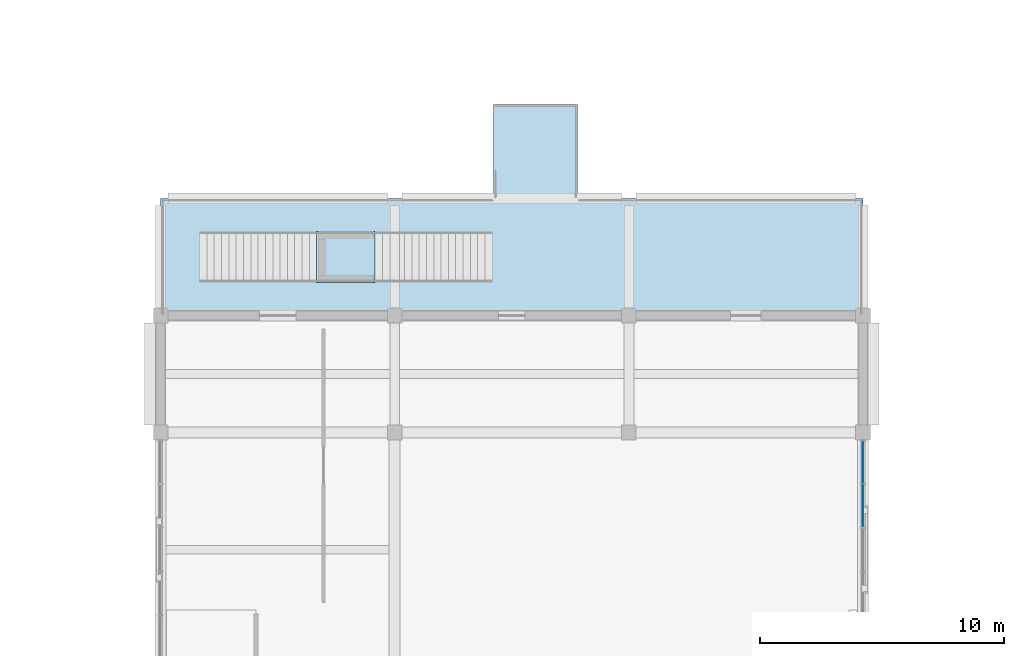
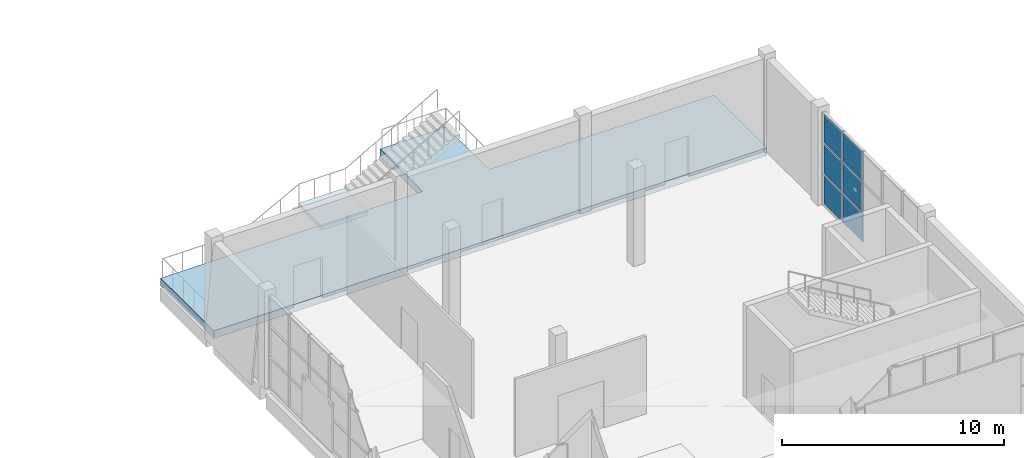
# One storey, part 30 of 57: 6 plates, 2 slabs, 2 elements without a shape of their own.
"""IFC4 building model written with IfcOpenShell, lengths in metres."""

from ifc_helpers import new_model, si_unit, direction, frame, origin, origin_2d, place, context, subcontext, project, spatial, polyline, rectangle, outline, extrude, material, layer, layer_set, type_object, element, aggregate, save


model = new_model("IFC4")

# Units and contexts
model_context = context("Model", 3, precision=1e-05, world=origin(), true_north=direction((0.0, 1.0)))
body_context = subcontext(model_context, "Body", "Model", "MODEL_VIEW")
ifc_project = project(units=[si_unit("LENGTHUNIT", "METRE"), si_unit("AREAUNIT", "SQUARE_METRE"), si_unit("VOLUMEUNIT", "CUBIC_METRE"), si_unit("PLANEANGLEUNIT", "RADIAN"), si_unit("MASSUNIT", "GRAM", prefix="KILO")], contexts=[model_context])

# Site, building, storey
site_placement = place(None, origin())
site = spatial("IfcSite", under=ifc_project, at=site_placement, CompositionType="ELEMENT")
building_placement = place(site_placement, origin())
building = spatial("IfcBuilding", under=site, at=building_placement, Name="Shalvenor Court Art Gallery", CompositionType="ELEMENT")
storey_placement = place(building_placement, frame((0.0, 0.0, 16.800048828125)))
storey = spatial("IfcBuildingStorey", under=building, at=storey_placement, Name="L03", CompositionType="ELEMENT", Elevation=16.800048828125)

# Curtain wall, plates
ifc_material_1 = material(Name="Anodised aluminium and low-iron glass curtain wall", Category="aluminium")
curtain_wall_type = type_object("IfcCurtainWallType", Name="CW-5x3-90-51-222", PredefinedType="USERDEFINED", material=ifc_material_1)
curtain_wall_placement = place(storey_placement, origin())
curtain_wall = element("IfcCurtainWall", 1, at=curtain_wall_placement, inside=storey, type_object=curtain_wall_type, Name="L03 V3 Curtain Wall CW-L03-109", ObjectType="CURTAIN WALL", PredefinedType="USERDEFINED")
ifc_material_2 = material(Name="Low-iron triple-silver solar gallery glazing IGU", Category="glass")
ifc_layer_1 = layer(ifc_material_2, 0.031982421875, Name="Low-iron triple-silver solar gallery glazing IGU")
ifc_layer_set_1 = layer_set([ifc_layer_1], Name="Low-iron triple-silver solar gallery glazing IGU")
plate_type = type_object("IfcPlateType", Name="CWP-02", PredefinedType="CURTAIN_PANEL", material=ifc_layer_set_1)
plate_1_placement = place(storey_placement, frame((124.800048828125, 17.982421875, 0.06494140625), z_axis=(0.0, 0.0, 1.0), x_axis=(0.0, -1.0, 0.0)))
plate_1 = element("IfcPlate", 2, at=plate_1_placement, type_object=plate_type, Name="CW-5x3-90-51-222 panel 1.1", PredefinedType="CURTAIN_PANEL", context=body_context, shape_type="SweptSolid", body=[
    extrude(rectangle(XDim=1.695068359375, YDim=0.031982421875, at=origin_2d()), origin(), (0.0, 0.0, 1.0), 1.6025390625),
])
plate_2_placement = place(storey_placement, frame((124.800048828125, 17.982421875, 1.732421875), z_axis=(0.0, 0.0, 1.0), x_axis=(0.0, -1.0, 0.0)))
plate_2 = element("IfcPlate", 3, at=plate_2_placement, type_object=plate_type, Name="CW-5x3-90-51-222 panel 1.2", PredefinedType="CURTAIN_PANEL", context=body_context, shape_type="SweptSolid", body=[
    extrude(rectangle(XDim=1.695068359375, YDim=0.031982421875, at=origin_2d()), origin(), (0.0, 0.0, 1.0), 1.635009765625),
])
plate_3_placement = place(storey_placement, frame((124.800048828125, 17.982421875, 3.432373046875), z_axis=(0.0, 0.0, 1.0), x_axis=(0.0, -1.0, 0.0)))
plate_3 = element("IfcPlate", 4, at=plate_3_placement, type_object=plate_type, Name="CW-5x3-90-51-222 panel 1.3", PredefinedType="CURTAIN_PANEL", context=body_context, shape_type="SweptSolid", body=[
    extrude(rectangle(XDim=1.695068359375, YDim=0.031982421875, at=origin_2d()), origin(), (0.0, 0.0, 1.0), 1.6025390625),
])
plate_4_placement = place(storey_placement, frame((124.800048828125, 16.199951171875, 0.06494140625), z_axis=(0.0, 0.0, 1.0), x_axis=(0.0, -1.0, 0.0)))
plate_4 = element("IfcPlate", 5, at=plate_4_placement, type_object=plate_type, Name="CW-5x3-90-51-222 panel 2.1", PredefinedType="CURTAIN_PANEL", context=body_context, shape_type="SweptSolid", body=[
    extrude(rectangle(XDim=1.72998046875, YDim=0.031982421875, at=origin_2d()), origin(), (0.0, 0.0, 1.0), 1.6025390625),
])
plate_5_placement = place(storey_placement, frame((124.800048828125, 16.199951171875, 1.732421875), z_axis=(0.0, 0.0, 1.0), x_axis=(0.0, -1.0, 0.0)))
plate_5 = element("IfcPlate", 6, at=plate_5_placement, type_object=plate_type, Name="CW-5x3-90-51-222 panel 2.2", PredefinedType="CURTAIN_PANEL", context=body_context, shape_type="SweptSolid", body=[
    extrude(rectangle(XDim=1.72998046875, YDim=0.031982421875, at=origin_2d()), origin(), (0.0, 0.0, 1.0), 1.635009765625),
])
plate_6_placement = place(storey_placement, frame((124.800048828125, 16.199951171875, 3.432373046875), z_axis=(0.0, 0.0, 1.0), x_axis=(0.0, -1.0, 0.0)))
plate_6 = element("IfcPlate", 7, at=plate_6_placement, type_object=plate_type, Name="CW-5x3-90-51-222 panel 2.3", PredefinedType="CURTAIN_PANEL", context=body_context, shape_type="SweptSolid", body=[
    extrude(rectangle(XDim=1.72998046875, YDim=0.031982421875, at=origin_2d()), origin(), (0.0, 0.0, 1.0), 1.6025390625),
])
aggregate(curtain_wall, [plate_1, plate_2, plate_3, plate_4, plate_5, plate_6])

# Stair, slab
ifc_material_3 = material(Name="Concrete C40/50", Category="concrete")
stair_type = type_object("IfcStairType", Name="ST-T5-TP", PredefinedType="STRAIGHT_RUN_STAIR", material=ifc_material_3)
stair_placement = place(storey_placement, origin())
stair = element("IfcStair", 8, at=stair_placement, inside=storey, type_object=stair_type, Name="Sculpture Terrace Stair 5", PredefinedType="STRAIGHT_RUN_STAIR")
ifc_material_4 = material(Name="Concrete C40/50", Category="concrete")
ifc_layer_2 = layer(ifc_material_4, 0.219970703125, Name="Concrete C40/50")
ifc_layer_set_2 = layer_set([ifc_layer_2], Name="Concrete C40/50")
slab_type_1 = type_object("IfcSlabType", Name="SLD-220", PredefinedType="LANDING", material=ifc_layer_set_2)
slab_1_placement = place(storey_placement, frame((0.0, 0.0, 2.47998046875)))
slab_1 = element("IfcSlab", 9, at=slab_1_placement, type_object=slab_type_1, Name="ST-T5-TP landing 1", PredefinedType="LANDING", context=body_context, shape_type="SweptSolid", body=[
    extrude(outline(polyline([(102.39990234375, 25.35009765625), (104.800048828125, 25.35009765625), (104.800048828125, 27.449951171875), (102.39990234375, 27.449951171875), (102.39990234375, 25.35009765625)])), origin(), (0.0, 0.0, 1.0), 0.219970703125),
])
aggregate(stair, [slab_1])

# Slab
ifc_material_5 = material(Name="Concrete C40/50", Category="concrete")
ifc_layer_3 = layer(ifc_material_5, 0.419921875, Name="Concrete C40/50")
ifc_layer_set_3 = layer_set([ifc_layer_3], Name="Concrete C40/50")
slab_type_2 = type_object("IfcSlabType", Name="TS-420", PredefinedType="FLOOR", material=ifc_layer_set_3)
slab_2_placement = place(storey_placement, frame((0.0, 0.0, -0.420166015625)))
element("IfcSlab", 10, at=slab_2_placement, inside=storey, type_object=slab_type_2, Name="L03 V3 Outdoor Sculpture Terrace", PredefinedType="FLOOR", context=body_context, shape_type="SweptSolid", body=[
    extrude(outline(polyline([(124.800048828125, 28.800048828125), (124.800048828125, 24.0), (113.10009765625, 24.0), (109.64990234375, 24.0), (96.0, 24.0), (96.0, 28.800048828125), (109.64990234375, 28.800048828125), (109.64990234375, 32.64990234375), (113.10009765625, 32.64990234375), (113.10009765625, 28.800048828125), (124.800048828125, 28.800048828125)])), origin(), (0.0, 0.0, 1.0), 0.420166015625),
])

save(model, "model.ifc")
